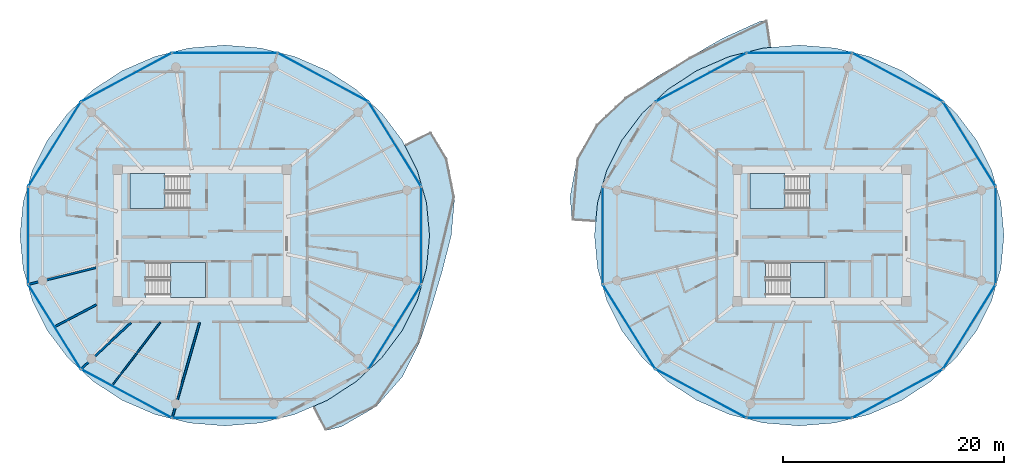
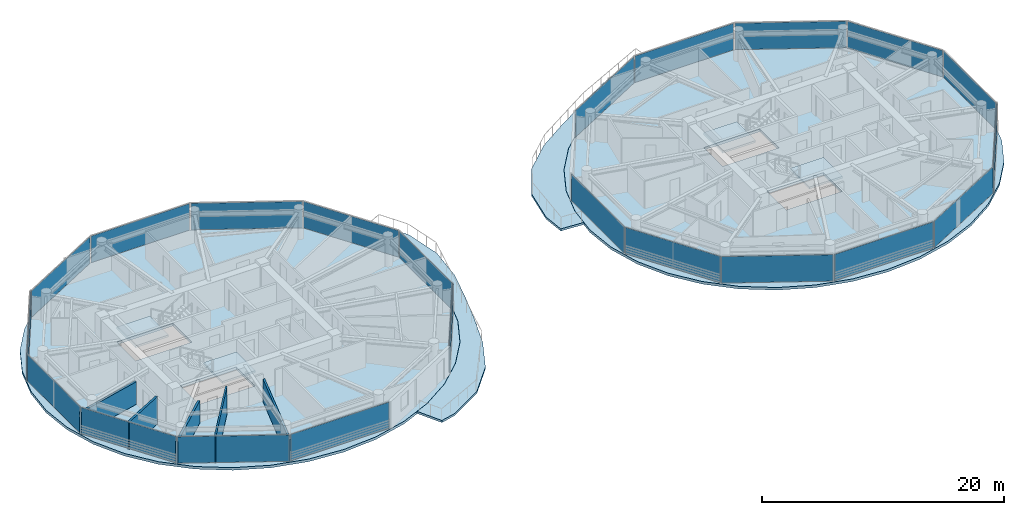
# One storey, part 12 of 22: 22 plates, 8 slabs, 5 walls, 26 elements without a shape of their own.
"""IFC4 building model written with IfcOpenShell, lengths in metres."""

from ifc_helpers import new_model, si_unit, direction, frame, frame_2d, origin, origin_2d, place, context, subcontext, project, spatial, polyline, rectangle, outline, extrude, source, transform, mapped, material, layer, layer_set, type_object, type_shapes, element, aggregate, save


model = new_model("IFC4")

# Units and contexts
model_context = context("Model", 3, precision=1e-05, world=origin(), true_north=direction((0.0, 1.0)))
body_context = subcontext(model_context, "Body", "Model", "MODEL_VIEW")
ifc_project = project(units=[si_unit("LENGTHUNIT", "METRE"), si_unit("AREAUNIT", "SQUARE_METRE"), si_unit("VOLUMEUNIT", "CUBIC_METRE"), si_unit("PLANEANGLEUNIT", "RADIAN"), si_unit("MASSUNIT", "GRAM", prefix="KILO")], contexts=[model_context])

# Site, building, storey
site_placement = place(None, origin())
site = spatial("IfcSite", under=ifc_project, at=site_placement, CompositionType="ELEMENT")
building_placement = place(site_placement, origin())
building = spatial("IfcBuilding", under=site, at=building_placement, Name="Norrkilde Senior Care Towers", CompositionType="ELEMENT")
storey_placement = place(building_placement, frame((0.0, 0.0, 123.699951171875)))
storey = spatial("IfcBuildingStorey", under=building, at=storey_placement, Name="L38", CompositionType="ELEMENT", Elevation=123.699951171875)

# Slabs
ifc_material_1 = material(Name="Concrete C50/60", Category="concrete")
ifc_layer_1 = layer(ifc_material_1, 0.215087890625)
ifc_layer_set_1 = layer_set([ifc_layer_1], Name="Concrete C50/60")
slab_type_1 = type_object("IfcSlabType", Name="Sinusoidal Balcony Ribbon Slab 215", PredefinedType="FLOOR", material=ifc_layer_set_1)
slab_1_placement = place(storey_placement, frame((0.0, 0.0, -0.21484375)))
element("IfcSlab", 1, at=slab_1_placement, inside=storey, type_object=slab_type_1, Name="L38 Drum W Swirling Senior Balcony 1", PredefinedType="FLOOR", context=body_context, shape_type="SweptSolid", body=[
    extrude(outline(polyline([(-8.32666015625, -9.5947265625), (-9.895751953125, -12.7548828125), (-12.279296875, -15.45654296875), (-15.422607421875, -17.275390625), (-16.86767578125, -17.633544921875), (-17.987548828125, -15.459228515625), (-16.697509765625, -14.89990234375), (-14.05517578125, -13.1796875), (-11.7744140625, -11.05908203125), (-9.92431640625, -8.6025390625), (-8.56103515625, -5.884521484375), (-7.72607421875, -2.987548828125), (-7.445068359375, 0.0), (-7.72607421875, 2.987548828125), (-8.56103515625, 5.884521484375), (-9.71044921875, 8.176513671875), (-7.31787109375, 9.381103515625), (-5.86572265625, 6.939697265625), (-5.174560546875, 3.4716796875), (-5.486083984375, 0.0), (-6.315673828125, -3.255126953125), (-7.256103515625, -6.3955078125), (-8.32666015625, -9.5947265625)])), origin(), (0.0, 0.0, 1.0), 0.21484375),
])
slab_2_placement = place(storey_placement, frame((0.0, 0.0, -0.21484375)))
element("IfcSlab", 2, at=slab_2_placement, inside=storey, type_object=slab_type_1, Name="L38 Drum E Swirling Senior Balcony 1", PredefinedType="FLOOR", context=body_context, shape_type="SweptSolid", body=[
    extrude(outline(polyline([(5.872314453125, 6.937255859375), (7.634033203125, 10.02490234375), (10.220703125, 12.461669921875), (13.126953125, 14.369873046875), (16.053466796875, 16.10009765625), (19.05810546875, 17.8310546875), (22.3466796875, 19.322265625), (23.060546875, 19.46875), (23.427001953125, 16.999755859375), (22.736572265625, 16.943603515625), (19.620849609375, 16.16748046875), (16.697509765625, 14.89990234375), (14.05517578125, 13.1796875), (11.7744140625, 11.05908203125), (9.92431640625, 8.6025390625), (8.56103515625, 5.884521484375), (7.72607421875, 2.987548828125), (7.5595703125, 1.2177734375), (5.43701171875, 1.3583984375), (5.23974609375, 3.459228515625), (5.872314453125, 6.937255859375)])), origin(), (0.0, 0.0, 1.0), 0.21484375),
])

# Stair, slab
ifc_material_2 = material(Name="Concrete C45/55", Category="concrete")
stair_type = type_object("IfcStairType", Name="Core Protected Dogleg Stair Typical 3050", PredefinedType="HALF_TURN_STAIR", material=ifc_material_2)
stair_1_placement = place(storey_placement, origin())
stair_1 = element("IfcStair", 3, at=stair_1_placement, inside=storey, type_object=stair_type, Name="L38 Protected Core Stair W1", PredefinedType="HALF_TURN_STAIR")
ifc_layer_2 = layer(ifc_material_2, 0.199951171875)
ifc_layer_set_2 = layer_set([ifc_layer_2], Name="Concrete C45/55")
slab_type_2 = type_object("IfcSlabType", Name="Stair Landing Slab 200", PredefinedType="LANDING", material=ifc_layer_set_2)
slab_3_placement = place(storey_placement, frame((0.0, 0.0, 1.324951171875)))
slab_3 = element("IfcSlab", 4, at=slab_3_placement, type_object=slab_type_2, Name="ST-W1 landing 1", PredefinedType="LANDING", context=body_context, shape_type="SweptSolid", body=[
    extrude(outline(polyline([(-31.340087890625, 5.590087890625), (-34.5, 5.590087890625), (-34.5, 2.449951171875), (-31.340087890625, 2.449951171875), (-31.340087890625, 5.590087890625)])), origin(), (0.0, 0.0, 1.0), 0.2001953125),
])
aggregate(stair_1, [slab_3])

stair_2_placement = place(storey_placement, origin())
stair_2 = element("IfcStair", 5, at=stair_2_placement, inside=storey, type_object=stair_type, Name="L38 Protected Core Stair W2", PredefinedType="HALF_TURN_STAIR")
slab_4_placement = place(storey_placement, frame((0.0, 0.0, 1.324951171875)))
slab_4 = element("IfcSlab", 6, at=slab_4_placement, type_object=slab_type_2, Name="ST-W2 landing 1", PredefinedType="LANDING", context=body_context, shape_type="SweptSolid", body=[
    extrude(outline(polyline([(-30.860107421875, -5.590087890625), (-27.699951171875, -5.590087890625), (-27.699951171875, -2.449951171875), (-30.860107421875, -2.449951171875), (-30.860107421875, -5.590087890625)])), origin(), (0.0, 0.0, 1.0), 0.2001953125),
])
aggregate(stair_2, [slab_4])

stair_3_placement = place(storey_placement, origin())
stair_3 = element("IfcStair", 7, at=stair_3_placement, inside=storey, type_object=stair_type, Name="L38 Protected Core Stair E1", PredefinedType="HALF_TURN_STAIR")
slab_5_placement = place(storey_placement, frame((0.0, 0.0, 1.324951171875)))
slab_5 = element("IfcSlab", 8, at=slab_5_placement, type_object=slab_type_2, Name="ST-E1 landing 1", PredefinedType="LANDING", context=body_context, shape_type="SweptSolid", body=[
    extrude(outline(polyline([(24.659912109375, 5.590087890625), (21.5, 5.590087890625), (21.5, 2.449951171875), (24.659912109375, 2.449951171875), (24.659912109375, 5.590087890625)])), origin(), (0.0, 0.0, 1.0), 0.2001953125),
])
aggregate(stair_3, [slab_5])

stair_4_placement = place(storey_placement, origin())
stair_4 = element("IfcStair", 9, at=stair_4_placement, inside=storey, type_object=stair_type, Name="L38 Protected Core Stair E2", PredefinedType="HALF_TURN_STAIR")
slab_6_placement = place(storey_placement, frame((0.0, 0.0, 1.324951171875)))
slab_6 = element("IfcSlab", 10, at=slab_6_placement, type_object=slab_type_2, Name="ST-E2 landing 1", PredefinedType="LANDING", context=body_context, shape_type="SweptSolid", body=[
    extrude(outline(polyline([(25.139892578125, -5.590087890625), (28.300048828125, -5.590087890625), (28.300048828125, -2.449951171875), (25.139892578125, -2.449951171875), (25.139892578125, -5.590087890625)])), origin(), (0.0, 0.0, 1.0), 0.2001953125),
])
aggregate(stair_4, [slab_6])

# Slabs
ifc_layer_3 = layer(ifc_material_1, 0.260009765625)
ifc_layer_set_3 = layer_set([ifc_layer_3], Name="Concrete C50/60")
slab_type_3 = type_object("IfcSlabType", Name="Tower Care Floor Slab 260", PredefinedType="FLOOR", material=ifc_layer_set_3)
slab_7_placement = place(storey_placement, frame((0.0, 0.0, -0.260009765625)))
element("IfcSlab", 11, at=slab_7_placement, inside=storey, type_object=slab_type_3, Name="L38 Drum W Structural Floor Slab", PredefinedType="FLOOR", context=body_context, shape_type="SweptSolid", body=[
    extrude(outline(polyline([(-8.565673828125, -5.8828125), (-9.928466796875, -8.60009765625), (-11.778076171875, -11.055908203125), (-14.058349609375, -13.176025390625), (-16.699951171875, -14.895751953125), (-19.62255859375, -16.16259765625), (-22.737548828125, -16.938720703125), (-25.949951171875, -17.199951171875), (-29.16259765625, -16.938720703125), (-32.27734375, -16.16259765625), (-35.199951171875, -14.895751953125), (-37.841552734375, -13.176025390625), (-40.121826171875, -11.055908203125), (-41.971435546875, -8.60009765625), (-43.334228515625, -5.8828125), (-44.1689453125, -2.98681640625), (-44.449951171875, 0.0), (-44.1689453125, 2.98681640625), (-43.334228515625, 5.8828125), (-41.971435546875, 8.60009765625), (-40.121826171875, 11.055908203125), (-37.841552734375, 13.176025390625), (-35.199951171875, 14.895751953125), (-32.27734375, 16.16259765625), (-29.16259765625, 16.938720703125), (-25.949951171875, 17.199951171875), (-22.737548828125, 16.938720703125), (-19.62255859375, 16.16259765625), (-16.699951171875, 14.895751953125), (-14.058349609375, 13.176025390625), (-11.778076171875, 11.055908203125), (-9.928466796875, 8.60009765625), (-8.565673828125, 5.8828125), (-7.73095703125, 2.98681640625), (-7.449951171875, 0.0), (-7.73095703125, -2.98681640625), (-8.565673828125, -5.8828125)]), holes=[polyline([(-34.48193359375, 2.468017578125), (-29.117919921875, 2.468017578125), (-29.117919921875, 5.590087890625), (-34.48193359375, 5.590087890625), (-34.48193359375, 2.468017578125)]), polyline([(-27.718017578125, -5.590087890625), (-27.718017578125, -2.468017578125), (-33.08203125, -2.468017578125), (-33.08203125, -5.590087890625), (-27.718017578125, -5.590087890625)])]), origin(), (0.0, 0.0, 1.0), 0.260009765625),
])
slab_8_placement = place(storey_placement, frame((0.0, 0.0, -0.260009765625)))
element("IfcSlab", 12, at=slab_8_placement, inside=storey, type_object=slab_type_3, Name="L38 Drum E Structural Floor Slab", PredefinedType="FLOOR", context=body_context, shape_type="SweptSolid", body=[
    extrude(outline(polyline([(43.334228515625, -5.8828125), (41.971435546875, -8.60009765625), (40.121826171875, -11.055908203125), (37.841552734375, -13.176025390625), (35.199951171875, -14.895751953125), (32.27734375, -16.16259765625), (29.16259765625, -16.938720703125), (25.949951171875, -17.199951171875), (22.737548828125, -16.938720703125), (19.62255859375, -16.16259765625), (16.699951171875, -14.895751953125), (14.058349609375, -13.176025390625), (11.778076171875, -11.055908203125), (9.928466796875, -8.60009765625), (8.565673828125, -5.8828125), (7.73095703125, -2.98681640625), (7.449951171875, 0.0), (7.73095703125, 2.98681640625), (8.565673828125, 5.8828125), (9.928466796875, 8.60009765625), (11.778076171875, 11.055908203125), (14.058349609375, 13.176025390625), (16.699951171875, 14.895751953125), (19.62255859375, 16.16259765625), (22.737548828125, 16.938720703125), (25.949951171875, 17.199951171875), (29.16259765625, 16.938720703125), (32.27734375, 16.16259765625), (35.199951171875, 14.895751953125), (37.841552734375, 13.176025390625), (40.121826171875, 11.055908203125), (41.971435546875, 8.60009765625), (43.334228515625, 5.8828125), (44.1689453125, 2.98681640625), (44.449951171875, 0.0), (44.1689453125, -2.98681640625), (43.334228515625, -5.8828125)]), holes=[polyline([(21.51806640625, 2.468017578125), (26.882080078125, 2.468017578125), (26.882080078125, 5.590087890625), (21.51806640625, 5.590087890625), (21.51806640625, 2.468017578125)]), polyline([(28.281982421875, -5.590087890625), (28.281982421875, -2.468017578125), (22.91796875, -2.468017578125), (22.91796875, -5.590087890625), (28.281982421875, -5.590087890625)])]), origin(), (0.0, 0.0, 1.0), 0.260009765625),
])

# Curtain wall, plate
ifc_material_3 = material(Name="Triple Low-E Insulated Glazing", Category="glass")
ifc_layer_4 = layer(ifc_material_3, 0.195068359375)
ifc_layer_set_4 = layer_set([ifc_layer_4], Name="Triple Low-E Insulated Glazing")
curtain_wall_type = type_object("IfcCurtainWallType", Name="CW3 Zone 2 Assisted Living Curtain Wall", PredefinedType="NOTDEFINED", material=ifc_layer_set_4)
curtain_wall_1_placement = place(storey_placement, origin())
curtain_wall_1 = element("IfcCurtainWall", 13, at=curtain_wall_1_placement, inside=storey, type_object=curtain_wall_type, Name="L38 Drum W Curtain Wall 00", PredefinedType="NOTDEFINED")
ifc_layer_5 = layer(ifc_material_3, 0.035888671875)
ifc_layer_set_5 = layer_set([ifc_layer_5], Name="Triple Low-E Insulated Glazing")
plate_type = type_object("IfcPlateType", Name="Triple Low-E Vision Curtain Panel 36", PredefinedType="CURTAIN_PANEL", material=ifc_layer_set_5)
shared_shape_1 = source(origin(), body_context, "Body", "SweptSolid", [
    extrude(rectangle(XDim=8.88427734375, YDim=0.035888671875, at=origin_2d()), origin(), (0.0, 0.0, 1.0), 2.669921875),
])
plate_1_placement = place(storey_placement, frame((-10.574951171875, 8.2490234375, 0.06005859375), z_axis=(0.0, 0.0, 1.0), x_axis=(0.527733228002, -0.849410171862, 0.0)))
plate_1 = element("IfcPlate", 14, at=plate_1_placement, type_object=plate_type, Name="CW-3 panel 1.1", PredefinedType="CURTAIN_PANEL", context=body_context, shape_type="MappedRepresentation", body=[
    mapped(shared_shape_1, transform((0.0, 0.0, 0.0), x_axis=(1.0, 0.0, 0.0), y_axis=(0.0, 1.0, 0.0), z_axis=(0.0, 0.0, 1.0), scale=1.0)),
])
aggregate(curtain_wall_1, [plate_1])

curtain_wall_2_placement = place(storey_placement, origin())
curtain_wall_2 = element("IfcCurtainWall", 15, at=curtain_wall_2_placement, inside=storey, type_object=curtain_wall_type, Name="L38 Drum W Curtain Wall 04", PredefinedType="NOTDEFINED")
plate_2_placement = place(storey_placement, frame((-41.3251953125, 8.2490234375, 0.06005859375), z_axis=(0.0, 0.0, 1.0), x_axis=(0.527733228002, 0.849410171862, 0.0)))
plate_2 = element("IfcPlate", 16, at=plate_2_placement, type_object=plate_type, Name="CW-3 panel 1.1", PredefinedType="CURTAIN_PANEL", context=body_context, shape_type="MappedRepresentation", body=[
    mapped(shared_shape_1, transform((0.0, 0.0, 0.0), x_axis=(1.0, 0.0, 0.0), y_axis=(0.0, 1.0, 0.0), z_axis=(0.0, 0.0, 1.0), scale=1.0)),
])
aggregate(curtain_wall_2, [plate_2])

curtain_wall_3_placement = place(storey_placement, origin())
curtain_wall_3 = element("IfcCurtainWall", 17, at=curtain_wall_3_placement, inside=storey, type_object=curtain_wall_type, Name="L38 Drum W Curtain Wall 06", PredefinedType="NOTDEFINED")
plate_3_placement = place(storey_placement, frame((-41.3251953125, -8.2490234375, 0.06005859375), z_axis=(0.0, 0.0, 1.0), x_axis=(-0.527733228002, 0.849410171862, 0.0)))
plate_3 = element("IfcPlate", 18, at=plate_3_placement, type_object=plate_type, Name="CW-3 panel 1.1", PredefinedType="CURTAIN_PANEL", context=body_context, shape_type="MappedRepresentation", body=[
    mapped(shared_shape_1, transform((0.0, 0.0, 0.0), x_axis=(1.0, 0.0, 0.0), y_axis=(0.0, 1.0, 0.0), z_axis=(0.0, 0.0, 1.0), scale=1.0)),
])
aggregate(curtain_wall_3, [plate_3])

curtain_wall_4_placement = place(storey_placement, origin())
curtain_wall_4 = element("IfcCurtainWall", 19, at=curtain_wall_4_placement, inside=storey, type_object=curtain_wall_type, Name="L38 Drum W Curtain Wall 10", PredefinedType="NOTDEFINED")
plate_4_placement = place(storey_placement, frame((-10.574951171875, -8.2490234375, 0.06005859375), z_axis=(0.0, 0.0, 1.0), x_axis=(-0.527733228002, -0.849410171862, 0.0)))
plate_4 = element("IfcPlate", 20, at=plate_4_placement, type_object=plate_type, Name="CW-3 panel 1.1", PredefinedType="CURTAIN_PANEL", context=body_context, shape_type="MappedRepresentation", body=[
    mapped(shared_shape_1, transform((0.0, 0.0, 0.0), x_axis=(1.0, 0.0, 0.0), y_axis=(0.0, 1.0, 0.0), z_axis=(0.0, 0.0, 1.0), scale=1.0)),
])
aggregate(curtain_wall_4, [plate_4])

curtain_wall_5_placement = place(storey_placement, origin())
curtain_wall_5 = element("IfcCurtainWall", 21, at=curtain_wall_5_placement, inside=storey, type_object=curtain_wall_type, Name="L38 Drum E Curtain Wall 00", PredefinedType="NOTDEFINED")
plate_5_placement = place(storey_placement, frame((41.3251953125, 8.2490234375, 0.06005859375), z_axis=(0.0, 0.0, 1.0), x_axis=(0.527733228002, -0.849410171862, 0.0)))
plate_5 = element("IfcPlate", 22, at=plate_5_placement, type_object=plate_type, Name="CW-3 panel 1.1", PredefinedType="CURTAIN_PANEL", context=body_context, shape_type="MappedRepresentation", body=[
    mapped(shared_shape_1, transform((0.0, 0.0, 0.0), x_axis=(1.0, 0.0, 0.0), y_axis=(0.0, 1.0, 0.0), z_axis=(0.0, 0.0, 1.0), scale=1.0)),
])
aggregate(curtain_wall_5, [plate_5])

curtain_wall_6_placement = place(storey_placement, origin())
curtain_wall_6 = element("IfcCurtainWall", 23, at=curtain_wall_6_placement, inside=storey, type_object=curtain_wall_type, Name="L38 Drum E Curtain Wall 06", PredefinedType="NOTDEFINED")
plate_6_placement = place(storey_placement, frame((10.574951171875, -8.2490234375, 0.06005859375), z_axis=(0.0, 0.0, 1.0), x_axis=(-0.527733228002, 0.849410171862, 0.0)))
plate_6 = element("IfcPlate", 24, at=plate_6_placement, type_object=plate_type, Name="CW-3 panel 1.1", PredefinedType="CURTAIN_PANEL", context=body_context, shape_type="MappedRepresentation", body=[
    mapped(shared_shape_1, transform((0.0, 0.0, 0.0), x_axis=(1.0, 0.0, 0.0), y_axis=(0.0, 1.0, 0.0), z_axis=(0.0, 0.0, 1.0), scale=1.0)),
])
aggregate(curtain_wall_6, [plate_6])

curtain_wall_7_placement = place(storey_placement, origin())
curtain_wall_7 = element("IfcCurtainWall", 25, at=curtain_wall_7_placement, inside=storey, type_object=curtain_wall_type, Name="L38 Drum E Curtain Wall 10", PredefinedType="NOTDEFINED")
plate_7_placement = place(storey_placement, frame((41.3251953125, -8.2490234375, 0.06005859375), z_axis=(0.0, 0.0, 1.0), x_axis=(-0.527733228002, -0.849410171862, 0.0)))
plate_7 = element("IfcPlate", 26, at=plate_7_placement, type_object=plate_type, Name="CW-3 panel 1.1", PredefinedType="CURTAIN_PANEL", context=body_context, shape_type="MappedRepresentation", body=[
    mapped(shared_shape_1, transform((0.0, 0.0, 0.0), x_axis=(1.0, 0.0, 0.0), y_axis=(0.0, 1.0, 0.0), z_axis=(0.0, 0.0, 1.0), scale=1.0)),
])
aggregate(curtain_wall_7, [plate_7])

curtain_wall_8_placement = place(storey_placement, origin())
curtain_wall_8 = element("IfcCurtainWall", 27, at=curtain_wall_8_placement, inside=storey, type_object=curtain_wall_type, Name="L38 Drum W Curtain Wall 01", PredefinedType="NOTDEFINED")
shared_shape_2 = source(origin(), body_context, "Body", "SweptSolid", [
    extrude(rectangle(XDim=9.220458984375, YDim=0.035888671875, at=origin_2d()), origin(), (0.0, 0.0, 1.0), 2.669921875),
])
plate_8_placement = place(storey_placement, frame((-17.0732421875, 14.28759765625, 0.06005859375), z_axis=(0.0, 0.0, 1.0), x_axis=(0.881186184668, -0.472769402511, 0.0)))
plate_8 = element("IfcPlate", 28, at=plate_8_placement, type_object=plate_type, Name="CW-3 panel 1.1", PredefinedType="CURTAIN_PANEL", context=body_context, shape_type="MappedRepresentation", body=[
    mapped(shared_shape_2, transform((0.0, 0.0, 0.0), x_axis=(1.0, 0.0, 0.0), y_axis=(0.0, 1.0, 0.0), z_axis=(0.0, 0.0, 1.0), scale=1.0)),
])
aggregate(curtain_wall_8, [plate_8])

curtain_wall_9_placement = place(storey_placement, origin())
curtain_wall_9 = element("IfcCurtainWall", 29, at=curtain_wall_9_placement, inside=storey, type_object=curtain_wall_type, Name="L38 Drum W Curtain Wall 03", PredefinedType="NOTDEFINED")
plate_9_placement = place(storey_placement, frame((-34.826904296875, 14.28759765625, 0.06005859375), z_axis=(0.0, 0.0, 1.0), x_axis=(0.881186184668, 0.472769402511, 0.0)))
plate_9 = element("IfcPlate", 30, at=plate_9_placement, type_object=plate_type, Name="CW-3 panel 1.1", PredefinedType="CURTAIN_PANEL", context=body_context, shape_type="MappedRepresentation", body=[
    mapped(shared_shape_2, transform((0.0, 0.0, 0.0), x_axis=(1.0, 0.0, 0.0), y_axis=(0.0, 1.0, 0.0), z_axis=(0.0, 0.0, 1.0), scale=1.0)),
])
aggregate(curtain_wall_9, [plate_9])

curtain_wall_10_placement = place(storey_placement, origin())
curtain_wall_10 = element("IfcCurtainWall", 31, at=curtain_wall_10_placement, inside=storey, type_object=curtain_wall_type, Name="L38 Drum W Curtain Wall 07", PredefinedType="NOTDEFINED")
plate_10_placement = place(storey_placement, frame((-34.826904296875, -14.28759765625, 0.06005859375), z_axis=(0.0, 0.0, 1.0), x_axis=(-0.881186184668, 0.472769402511, 0.0)))
plate_10 = element("IfcPlate", 32, at=plate_10_placement, type_object=plate_type, Name="CW-3 panel 1.1", PredefinedType="CURTAIN_PANEL", context=body_context, shape_type="MappedRepresentation", body=[
    mapped(shared_shape_2, transform((0.0, 0.0, 0.0), x_axis=(1.0, 0.0, 0.0), y_axis=(0.0, 1.0, 0.0), z_axis=(0.0, 0.0, 1.0), scale=1.0)),
])
aggregate(curtain_wall_10, [plate_10])

curtain_wall_11_placement = place(storey_placement, origin())
curtain_wall_11 = element("IfcCurtainWall", 33, at=curtain_wall_11_placement, inside=storey, type_object=curtain_wall_type, Name="L38 Drum E Curtain Wall 01", PredefinedType="NOTDEFINED")
plate_11_placement = place(storey_placement, frame((34.826904296875, 14.28759765625, 0.06005859375), z_axis=(0.0, 0.0, 1.0), x_axis=(0.881186184668, -0.472769402511, 0.0)))
plate_11 = element("IfcPlate", 34, at=plate_11_placement, type_object=plate_type, Name="CW-3 panel 1.1", PredefinedType="CURTAIN_PANEL", context=body_context, shape_type="MappedRepresentation", body=[
    mapped(shared_shape_2, transform((0.0, 0.0, 0.0), x_axis=(1.0, 0.0, 0.0), y_axis=(0.0, 1.0, 0.0), z_axis=(0.0, 0.0, 1.0), scale=1.0)),
])
aggregate(curtain_wall_11, [plate_11])

curtain_wall_12_placement = place(storey_placement, origin())
curtain_wall_12 = element("IfcCurtainWall", 35, at=curtain_wall_12_placement, inside=storey, type_object=curtain_wall_type, Name="L38 Drum E Curtain Wall 03", PredefinedType="NOTDEFINED")
plate_12_placement = place(storey_placement, frame((17.0732421875, 14.28759765625, 0.06005859375), z_axis=(0.0, 0.0, 1.0), x_axis=(0.881186184668, 0.472769402511, 0.0)))
plate_12 = element("IfcPlate", 36, at=plate_12_placement, type_object=plate_type, Name="CW-3 panel 1.1", PredefinedType="CURTAIN_PANEL", context=body_context, shape_type="MappedRepresentation", body=[
    mapped(shared_shape_2, transform((0.0, 0.0, 0.0), x_axis=(1.0, 0.0, 0.0), y_axis=(0.0, 1.0, 0.0), z_axis=(0.0, 0.0, 1.0), scale=1.0)),
])
aggregate(curtain_wall_12, [plate_12])

curtain_wall_13_placement = place(storey_placement, origin())
curtain_wall_13 = element("IfcCurtainWall", 37, at=curtain_wall_13_placement, inside=storey, type_object=curtain_wall_type, Name="L38 Drum E Curtain Wall 07", PredefinedType="NOTDEFINED")
plate_13_placement = place(storey_placement, frame((17.0732421875, -14.28759765625, 0.06005859375), z_axis=(0.0, 0.0, 1.0), x_axis=(-0.881186184668, 0.472769402511, 0.0)))
plate_13 = element("IfcPlate", 38, at=plate_13_placement, type_object=plate_type, Name="CW-3 panel 1.1", PredefinedType="CURTAIN_PANEL", context=body_context, shape_type="MappedRepresentation", body=[
    mapped(shared_shape_2, transform((0.0, 0.0, 0.0), x_axis=(1.0, 0.0, 0.0), y_axis=(0.0, 1.0, 0.0), z_axis=(0.0, 0.0, 1.0), scale=1.0)),
])
aggregate(curtain_wall_13, [plate_13])

curtain_wall_14_placement = place(storey_placement, origin())
curtain_wall_14 = element("IfcCurtainWall", 39, at=curtain_wall_14_placement, inside=storey, type_object=curtain_wall_type, Name="L38 Drum E Curtain Wall 09", PredefinedType="NOTDEFINED")
plate_14_placement = place(storey_placement, frame((34.826904296875, -14.28759765625, 0.06005859375), z_axis=(0.0, 0.0, 1.0), x_axis=(-0.881186184668, -0.472769402511, 0.0)))
plate_14 = element("IfcPlate", 40, at=plate_14_placement, type_object=plate_type, Name="CW-3 panel 1.1", PredefinedType="CURTAIN_PANEL", context=body_context, shape_type="MappedRepresentation", body=[
    mapped(shared_shape_2, transform((0.0, 0.0, 0.0), x_axis=(1.0, 0.0, 0.0), y_axis=(0.0, 1.0, 0.0), z_axis=(0.0, 0.0, 1.0), scale=1.0)),
])
aggregate(curtain_wall_14, [plate_14])

curtain_wall_15_placement = place(storey_placement, origin())
curtain_wall_15 = element("IfcCurtainWall", 41, at=curtain_wall_15_placement, inside=storey, type_object=curtain_wall_type, Name="L38 Drum W Curtain Wall 02", PredefinedType="NOTDEFINED")
shared_shape_3 = source(origin(), body_context, "Body", "SweptSolid", [
    extrude(rectangle(XDim=9.38427734375, YDim=0.035888671875, at=origin_2d()), origin(), (0.0, 0.0, 1.0), 2.669921875),
])
plate_15_placement = place(storey_placement, frame((-25.949951171875, 16.498046875, 0.06005859375), z_axis=(0.0, 0.0, 1.0), x_axis=(1.0, 0.0, 0.0)))
plate_15 = element("IfcPlate", 42, at=plate_15_placement, type_object=plate_type, Name="CW-3 panel 1.1", PredefinedType="CURTAIN_PANEL", context=body_context, shape_type="MappedRepresentation", body=[
    mapped(shared_shape_3, transform((0.0, 0.0, 0.0), x_axis=(1.0, 0.0, 0.0), y_axis=(0.0, 1.0, 0.0), z_axis=(0.0, 0.0, 1.0), scale=1.0)),
])
aggregate(curtain_wall_15, [plate_15])

curtain_wall_16_placement = place(storey_placement, origin())
curtain_wall_16 = element("IfcCurtainWall", 43, at=curtain_wall_16_placement, inside=storey, type_object=curtain_wall_type, Name="L38 Drum W Curtain Wall 08", PredefinedType="NOTDEFINED")
plate_16_placement = place(storey_placement, frame((-25.949951171875, -16.498046875, 0.06005859375), z_axis=(0.0, 0.0, 1.0), x_axis=(-1.0, 0.0, 0.0)))
plate_16 = element("IfcPlate", 44, at=plate_16_placement, type_object=plate_type, Name="CW-3 panel 1.1", PredefinedType="CURTAIN_PANEL", context=body_context, shape_type="MappedRepresentation", body=[
    mapped(shared_shape_3, transform((0.0, 0.0, 0.0), x_axis=(1.0, 0.0, 0.0), y_axis=(0.0, 1.0, 0.0), z_axis=(0.0, 0.0, 1.0), scale=1.0)),
])
aggregate(curtain_wall_16, [plate_16])

curtain_wall_17_placement = place(storey_placement, origin())
curtain_wall_17 = element("IfcCurtainWall", 45, at=curtain_wall_17_placement, inside=storey, type_object=curtain_wall_type, Name="L38 Drum E Curtain Wall 02", PredefinedType="NOTDEFINED")
plate_17_placement = place(storey_placement, frame((25.949951171875, 16.498046875, 0.06005859375), z_axis=(0.0, 0.0, 1.0), x_axis=(1.0, 0.0, 0.0)))
plate_17 = element("IfcPlate", 46, at=plate_17_placement, type_object=plate_type, Name="CW-3 panel 1.1", PredefinedType="CURTAIN_PANEL", context=body_context, shape_type="MappedRepresentation", body=[
    mapped(shared_shape_3, transform((0.0, 0.0, 0.0), x_axis=(1.0, 0.0, 0.0), y_axis=(0.0, 1.0, 0.0), z_axis=(0.0, 0.0, 1.0), scale=1.0)),
])
aggregate(curtain_wall_17, [plate_17])

curtain_wall_18_placement = place(storey_placement, origin())
curtain_wall_18 = element("IfcCurtainWall", 47, at=curtain_wall_18_placement, inside=storey, type_object=curtain_wall_type, Name="L38 Drum E Curtain Wall 08", PredefinedType="NOTDEFINED")
plate_18_placement = place(storey_placement, frame((25.949951171875, -16.498046875, 0.06005859375), z_axis=(0.0, 0.0, 1.0), x_axis=(-1.0, 0.0, 0.0)))
plate_18 = element("IfcPlate", 48, at=plate_18_placement, type_object=plate_type, Name="CW-3 panel 1.1", PredefinedType="CURTAIN_PANEL", context=body_context, shape_type="MappedRepresentation", body=[
    mapped(shared_shape_3, transform((0.0, 0.0, 0.0), x_axis=(1.0, 0.0, 0.0), y_axis=(0.0, 1.0, 0.0), z_axis=(0.0, 0.0, 1.0), scale=1.0)),
])
aggregate(curtain_wall_18, [plate_18])

curtain_wall_19_placement = place(storey_placement, origin())
curtain_wall_19 = element("IfcCurtainWall", 49, at=curtain_wall_19_placement, inside=storey, type_object=curtain_wall_type, Name="L38 Drum W Curtain Wall 05", PredefinedType="NOTDEFINED")
shared_shape_4 = source(origin(), body_context, "Body", "SweptSolid", [
    extrude(rectangle(XDim=8.711181640625, YDim=0.035888671875, at=origin_2d()), origin(), (0.0, 0.0, 1.0), 2.669921875),
])
type_shapes(plate_type, [shared_shape_1, shared_shape_2, shared_shape_3, shared_shape_4])
plate_19_placement = place(storey_placement, frame((-43.70361328125, 0.0, 0.06005859375), z_axis=(0.0, 0.0, 1.0), x_axis=(0.0, 1.0, 0.0)))
plate_19 = element("IfcPlate", 50, at=plate_19_placement, type_object=plate_type, Name="CW-3 panel 1.1", PredefinedType="CURTAIN_PANEL", context=body_context, shape_type="MappedRepresentation", body=[
    mapped(shared_shape_4, transform((0.0, 0.0, 0.0), x_axis=(1.0, 0.0, 0.0), y_axis=(0.0, 1.0, 0.0), z_axis=(0.0, 0.0, 1.0), scale=1.0)),
])
aggregate(curtain_wall_19, [plate_19])

curtain_wall_20_placement = place(storey_placement, origin())
curtain_wall_20 = element("IfcCurtainWall", 51, at=curtain_wall_20_placement, inside=storey, type_object=curtain_wall_type, Name="L38 Drum W Curtain Wall 11", PredefinedType="NOTDEFINED")
plate_20_placement = place(storey_placement, frame((-8.1962890625, 0.0, 0.06005859375), z_axis=(0.0, 0.0, 1.0), x_axis=(0.0, -1.0, 0.0)))
plate_20 = element("IfcPlate", 52, at=plate_20_placement, type_object=plate_type, Name="CW-3 panel 1.1", PredefinedType="CURTAIN_PANEL", context=body_context, shape_type="MappedRepresentation", body=[
    mapped(shared_shape_4, transform((0.0, 0.0, 0.0), x_axis=(1.0, 0.0, 0.0), y_axis=(0.0, 1.0, 0.0), z_axis=(0.0, 0.0, 1.0), scale=1.0)),
])
aggregate(curtain_wall_20, [plate_20])

curtain_wall_21_placement = place(storey_placement, origin())
curtain_wall_21 = element("IfcCurtainWall", 53, at=curtain_wall_21_placement, inside=storey, type_object=curtain_wall_type, Name="L38 Drum E Curtain Wall 05", PredefinedType="NOTDEFINED")
plate_21_placement = place(storey_placement, frame((8.1962890625, 0.0, 0.06005859375), z_axis=(0.0, 0.0, 1.0), x_axis=(0.0, 1.0, 0.0)))
plate_21 = element("IfcPlate", 54, at=plate_21_placement, type_object=plate_type, Name="CW-3 panel 1.1", PredefinedType="CURTAIN_PANEL", context=body_context, shape_type="MappedRepresentation", body=[
    mapped(shared_shape_4, transform((0.0, 0.0, 0.0), x_axis=(1.0, 0.0, 0.0), y_axis=(0.0, 1.0, 0.0), z_axis=(0.0, 0.0, 1.0), scale=1.0)),
])
aggregate(curtain_wall_21, [plate_21])

curtain_wall_22_placement = place(storey_placement, origin())
curtain_wall_22 = element("IfcCurtainWall", 55, at=curtain_wall_22_placement, inside=storey, type_object=curtain_wall_type, Name="L38 Drum E Curtain Wall 11", PredefinedType="NOTDEFINED")
plate_22_placement = place(storey_placement, frame((43.70361328125, 0.0, 0.06005859375), z_axis=(0.0, 0.0, 1.0), x_axis=(0.0, -1.0, 0.0)))
plate_22 = element("IfcPlate", 56, at=plate_22_placement, type_object=plate_type, Name="CW-3 panel 1.1", PredefinedType="CURTAIN_PANEL", context=body_context, shape_type="MappedRepresentation", body=[
    mapped(shared_shape_4, transform((0.0, 0.0, 0.0), x_axis=(1.0, 0.0, 0.0), y_axis=(0.0, 1.0, 0.0), z_axis=(0.0, 0.0, 1.0), scale=1.0)),
])
aggregate(curtain_wall_22, [plate_22])

# Walls
ifc_material_4 = material(Name="Gypsum Acoustic Board")
ifc_layer_6 = layer(ifc_material_4, 0.18994140625)
ifc_layer_set_6 = layer_set([ifc_layer_6], Name="Gypsum Acoustic Board")
wall_type_1 = type_object("IfcWallType", Name="Unit Demising Acoustic Wall 190", PredefinedType="PARTITIONING", material=ifc_layer_set_6)
shared_shape_5 = source(origin(), body_context, "Body", "SweptSolid", [
    extrude(rectangle(XDim=6.186767578125, YDim=0.18994140625, at=frame_2d((3.09326171875, 0.0))), origin(), (0.0, 0.0, 1.0), 2.275146484375),
])
wall_1_placement = place(storey_placement, frame((-34.428955078125, -7.8798828125, 0.0), z_axis=(0.0, 0.0, 1.0), x_axis=(-0.732501077882, -0.680765870841, 0.0)))
element("IfcWall", 57, at=wall_1_placement, inside=storey, type_object=wall_type_1, Name="WL-INT-L38-W-DEM-07-0", PredefinedType="PARTITIONING", context=body_context, shape_type="MappedRepresentation", body=[
    mapped(shared_shape_5, transform((0.0, 0.0, 0.0), x_axis=(1.0, 0.0, 0.0), y_axis=(0.0, 1.0, 0.0), z_axis=(0.0, 0.0, 1.0), scale=1.0)),
])
ifc_layer_7 = layer(ifc_material_4, 0.139892578125)
ifc_layer_set_7 = layer_set([ifc_layer_7], Name="Gypsum Acoustic Board")
wall_type_2 = type_object("IfcWallType", Name="En-suite Wet Room Wall 140", PredefinedType="PARTITIONING", material=ifc_layer_set_7)
shared_shape_6 = source(origin(), body_context, "Body", "SweptSolid", [
    extrude(rectangle(XDim=7.24267578125, YDim=0.139892578125, at=frame_2d((3.621337890625, 0.0))), origin(), (0.0, 0.0, 1.0), 2.775146484375),
])
type_shapes(wall_type_2, [shared_shape_6])
wall_2_placement = place(storey_placement, frame((-31.773681640625, -7.830078125, 0.0), z_axis=(0.0, 0.0, 1.0), x_axis=(-0.605111472002, -0.796140757939, 0.0)))
element("IfcWall", 58, at=wall_2_placement, inside=storey, type_object=wall_type_2, Name="WL-INT-L38-W-MID-07", PredefinedType="PARTITIONING", context=body_context, shape_type="MappedRepresentation", body=[
    mapped(shared_shape_6, transform((0.0, 0.0, 0.0), x_axis=(1.0, 0.0, 0.0), y_axis=(0.0, 1.0, 0.0), z_axis=(0.0, 0.0, 1.0), scale=1.0)),
])
shared_shape_7 = source(origin(), body_context, "Body", "SweptSolid", [
    extrude(rectangle(XDim=6.33056640625, YDim=0.18994140625, at=frame_2d((3.165283203125, 0.0))), origin(), (0.0, 0.0, 1.0), 2.275146484375),
])
wall_3_placement = place(storey_placement, frame((-37.580078125, -2.89599609375, 0.0), z_axis=(0.0, 0.0, 1.0), x_axis=(-0.97036440661, -0.241646267062, 0.0)))
element("IfcWall", 59, at=wall_3_placement, inside=storey, type_object=wall_type_1, Name="WL-INT-L38-W-DEM-06-0", PredefinedType="PARTITIONING", context=body_context, shape_type="MappedRepresentation", body=[
    mapped(shared_shape_7, transform((0.0, 0.0, 0.0), x_axis=(1.0, 0.0, 0.0), y_axis=(0.0, 1.0, 0.0), z_axis=(0.0, 0.0, 1.0), scale=1.0)),
])
shared_shape_8 = source(origin(), body_context, "Body", "SweptSolid", [
    extrude(rectangle(XDim=4.309814453125, YDim=0.18994140625, at=frame_2d((2.15478515625, 0.0))), origin(), (0.0, 0.0, 1.0), 2.775146484375),
])
type_shapes(wall_type_1, [shared_shape_5, shared_shape_7, shared_shape_8])
wall_4_placement = place(storey_placement, frame((-37.530029296875, -6.24755859375, 0.0), z_axis=(0.0, 0.0, 1.0), x_axis=(-0.884459441503, -0.466617076773, 0.0)))
element("IfcWall", 60, at=wall_4_placement, inside=storey, type_object=wall_type_1, Name="WL-INT-L38-W-MID-06", PredefinedType="PARTITIONING", context=body_context, shape_type="MappedRepresentation", body=[
    mapped(shared_shape_8, transform((0.0, 0.0, 0.0), x_axis=(1.0, 0.0, 0.0), y_axis=(0.0, 1.0, 0.0), z_axis=(0.0, 0.0, 1.0), scale=1.0)),
])
ifc_layer_8 = layer(ifc_material_4, 0.1650390625)
ifc_layer_set_8 = layer_set([ifc_layer_8], Name="Gypsum Acoustic Board")
wall_type_3 = type_object("IfcWallType", Name="Corridor Rated Partition 165", PredefinedType="PARTITIONING", material=ifc_layer_set_8)
shared_shape_9 = source(origin(), body_context, "Body", "SweptSolid", [
    extrude(rectangle(XDim=8.9892578125, YDim=0.1650390625, at=frame_2d((4.49462890625, 0.0))), origin(), (0.0, 0.0, 1.0), 2.275146484375),
])
type_shapes(wall_type_3, [shared_shape_9])
wall_5_placement = place(storey_placement, frame((-28.221923828125, -7.8798828125, 0.0), z_axis=(0.0, 0.0, 1.0), x_axis=(-0.27702323008, -0.960863221274, 0.0)))
element("IfcWall", 61, at=wall_5_placement, inside=storey, type_object=wall_type_3, Name="WL-INT-L38-W-DEM-08-0", PredefinedType="PARTITIONING", context=body_context, shape_type="MappedRepresentation", body=[
    mapped(shared_shape_9, transform((0.0, 0.0, 0.0), x_axis=(1.0, 0.0, 0.0), y_axis=(0.0, 1.0, 0.0), z_axis=(0.0, 0.0, 1.0), scale=1.0)),
])

save(model, "model.ifc")
